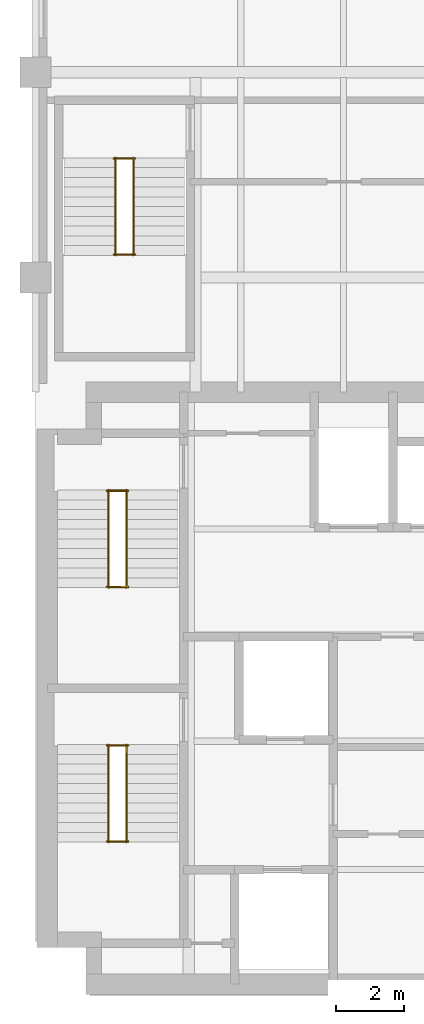
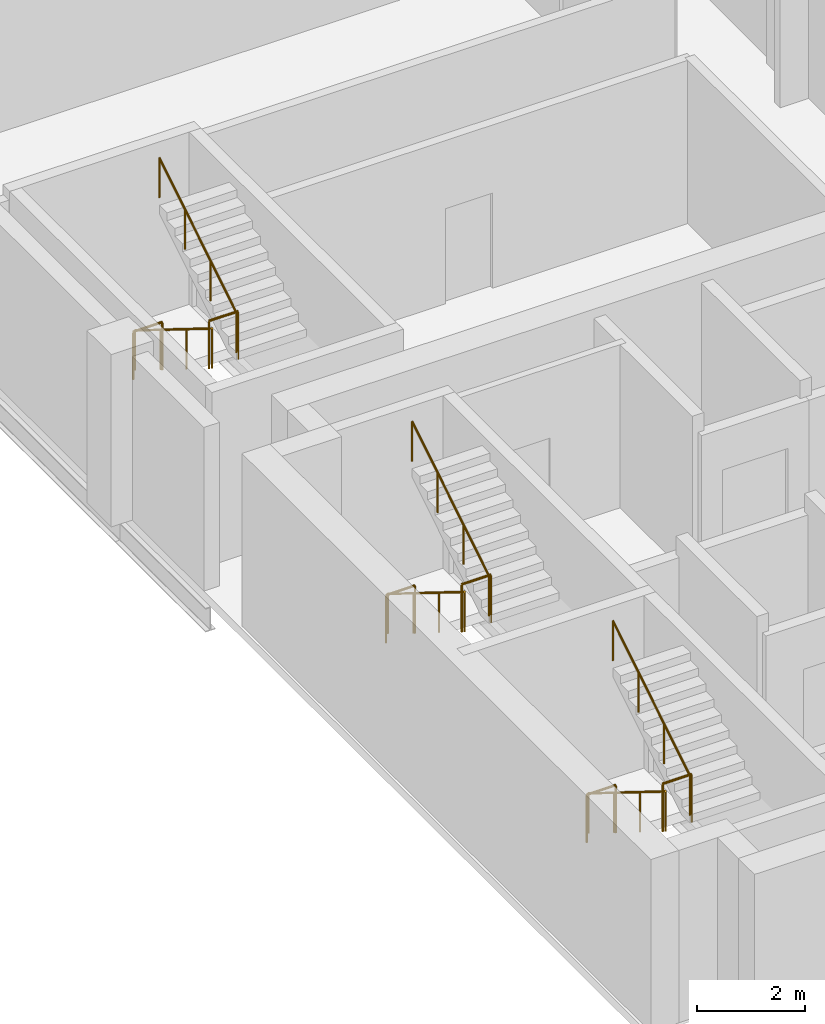
# One storey, part 6 of 6: 12 railings.
"""IFC4 building model written with IfcOpenShell, lengths in metres."""

from ifc_helpers import new_model, si_unit, direction, frame, origin, origin_2d, place, context, subcontext, project, spatial, circle, extrude, material, type_object, element, save


model = new_model("IFC4")

# Units and contexts
model_context = context("Model", 3, precision=1e-05, world=origin(), true_north=direction((0.0, 1.0)))
body_context = subcontext(model_context, "Body", "Model", "MODEL_VIEW")
ifc_project = project(units=[si_unit("LENGTHUNIT", "METRE"), si_unit("AREAUNIT", "SQUARE_METRE"), si_unit("VOLUMEUNIT", "CUBIC_METRE"), si_unit("PLANEANGLEUNIT", "RADIAN"), si_unit("MASSUNIT", "GRAM", prefix="KILO")], contexts=[model_context])

# Site, building, storey
site_placement = place(None, origin())
site = spatial("IfcSite", under=ifc_project, at=site_placement, CompositionType="ELEMENT")
building_placement = place(site_placement, origin())
building = spatial("IfcBuilding", under=site, at=building_placement, Name="Mawjdan Bourse Tower", CompositionType="ELEMENT")
storey_placement = place(building_placement, frame((0.0, 0.0, 176.10009765625)))
storey = spatial("IfcBuildingStorey", under=building, at=storey_placement, Name="L42", CompositionType="ELEMENT", Elevation=176.10009765625)

# Railings
ifc_material_1 = material(Name="Structural Steel S355", Category="steel")
railing_type_1 = type_object("IfcRailingType", Name="RLG-GRD-1100", PredefinedType="GUARDRAIL", material=ifc_material_1)
for number, where, name in (
    (1, (8.090087890625, 7.52001953125, 1.949951171875), "L42 ST1 Landing Guardrail GL-MID"),
    (2, (8.090087890625, 10.330078125, 0.0), "L42 ST1 Landing Guardrail GL-BOT"),
    (3, (8.090087890625, 14.9599609375, 1.949951171875), "L42 ST2 Landing Guardrail GL-MID"),
    (4, (8.090087890625, 17.77001953125, 0.0), "L42 ST2 Landing Guardrail GL-BOT"),
    (5, (8.2900390625, 24.669921875, 1.949951171875), "L42 ST3 Landing Guardrail GL-MID"),
    (6, (8.2900390625, 27.47998046875, 0.0), "L42 ST3 Landing Guardrail GL-BOT"),
):
    element("IfcRailing", number, at=place(storey_placement, frame(where)), inside=storey, type_object=railing_type_1, Name=name, PredefinedType="GUARDRAIL", context=body_context, shape_type="SweptSolid", body=[
        extrude(circle(Radius=0.02490234375, at=origin_2d()), frame((0.0, 0.0, 1.0751953125), z_axis=(1.0, 0.0, 0.0), x_axis=(0.0, 1.0, 0.0)), (0.0, 0.0, 1.0), 0.619873046875),
        extrude(circle(Radius=0.02099609375, at=origin_2d()), origin(), (0.0, 0.0, 1.0), 1.050048828125),
        extrude(circle(Radius=0.02099609375, at=origin_2d()), frame((0.619873046875, 0.0, 0.0)), (0.0, 0.0, 1.0), 1.050048828125),
    ])
ifc_material_2 = material(Name="Brushed Stainless Steel", Category="steel")
railing_type_2 = type_object("IfcRailingType", Name="RLG-HND-920", PredefinedType="HANDRAIL", material=ifc_material_2)
railing_1_placement = place(storey_placement, frame((8.139892578125, 10.35009765625, 0.17724609375)))
element("IfcRailing", 7, at=railing_1_placement, inside=storey, type_object=railing_type_2, Name="L42 ST1 Flight Handrail HR1", PredefinedType="HANDRAIL", context=body_context, shape_type="SweptSolid", body=[
    extrude(circle(Radius=0.0224609375, at=origin_2d()), frame((0.0, 0.0, 0.8974609375), z_axis=(0.0, -0.849148672731, 0.528153890072), x_axis=(1.0, 0.0, 0.0)), (0.0, 0.0, 1.0), 3.3564453125),
    extrude(circle(Radius=0.01904296875, at=origin_2d()), origin(), (0.0, 0.0, 1.0), 0.875),
    extrude(circle(Radius=0.01904296875, at=origin_2d()), frame((0.0, -0.949951171875, 0.5908203125)), (0.0, 0.0, 1.0), 0.875),
    extrude(circle(Radius=0.01904296875, at=origin_2d()), frame((0.0, -1.900146484375, 1.181884765625)), (0.0, 0.0, 1.0), 0.875),
    extrude(circle(Radius=0.01904296875, at=origin_2d()), frame((0.0, -2.85009765625, 1.772705078125)), (0.0, 0.0, 1.0), 0.875),
])
railing_2_placement = place(storey_placement, frame((8.659912109375, 7.5, 2.127197265625)))
element("IfcRailing", 8, at=railing_2_placement, inside=storey, type_object=railing_type_2, Name="L42 ST1 Flight Handrail HR2", PredefinedType="HANDRAIL", context=body_context, shape_type="SweptSolid", body=[
    extrude(circle(Radius=0.0224609375, at=origin_2d()), frame((0.0, 0.0, 0.8974609375), z_axis=(0.0, 0.849148672731, 0.528153890072), x_axis=(-1.0, 0.0, 0.0)), (0.0, 0.0, 1.0), 3.3564453125),
    extrude(circle(Radius=0.01904296875, at=origin_2d()), origin(), (0.0, 0.0, 1.0), 0.875),
    extrude(circle(Radius=0.01904296875, at=origin_2d()), frame((0.0, 0.949951171875, 0.5908203125)), (0.0, 0.0, 1.0), 0.875),
    extrude(circle(Radius=0.01904296875, at=origin_2d()), frame((0.0, 1.900146484375, 1.181884765625)), (0.0, 0.0, 1.0), 0.875),
    extrude(circle(Radius=0.01904296875, at=origin_2d()), frame((0.0, 2.85009765625, 1.772705078125)), (0.0, 0.0, 1.0), 0.875),
])
railing_3_placement = place(storey_placement, frame((8.139892578125, 17.7900390625, 0.17724609375)))
element("IfcRailing", 9, at=railing_3_placement, inside=storey, type_object=railing_type_2, Name="L42 ST2 Flight Handrail HR1", PredefinedType="HANDRAIL", context=body_context, shape_type="SweptSolid", body=[
    extrude(circle(Radius=0.0224609375, at=origin_2d()), frame((0.0, 0.0, 0.8974609375), z_axis=(0.0, -0.849148672731, 0.528153890072), x_axis=(1.0, 0.0, 0.0)), (0.0, 0.0, 1.0), 3.3564453125),
    extrude(circle(Radius=0.01904296875, at=origin_2d()), origin(), (0.0, 0.0, 1.0), 0.875),
    extrude(circle(Radius=0.01904296875, at=origin_2d()), frame((0.0, -0.949951171875, 0.5908203125)), (0.0, 0.0, 1.0), 0.875),
    extrude(circle(Radius=0.01904296875, at=origin_2d()), frame((0.0, -1.900146484375, 1.181884765625)), (0.0, 0.0, 1.0), 0.875),
    extrude(circle(Radius=0.01904296875, at=origin_2d()), frame((0.0, -2.85009765625, 1.772705078125)), (0.0, 0.0, 1.0), 0.875),
])
railing_4_placement = place(storey_placement, frame((8.659912109375, 14.93994140625, 2.127197265625)))
element("IfcRailing", 10, at=railing_4_placement, inside=storey, type_object=railing_type_2, Name="L42 ST2 Flight Handrail HR2", PredefinedType="HANDRAIL", context=body_context, shape_type="SweptSolid", body=[
    extrude(circle(Radius=0.0224609375, at=origin_2d()), frame((0.0, 0.0, 0.8974609375), z_axis=(0.0, 0.849148672731, 0.528153890072), x_axis=(-1.0, 0.0, 0.0)), (0.0, 0.0, 1.0), 3.3564453125),
    extrude(circle(Radius=0.01904296875, at=origin_2d()), origin(), (0.0, 0.0, 1.0), 0.875),
    extrude(circle(Radius=0.01904296875, at=origin_2d()), frame((0.0, 0.949951171875, 0.5908203125)), (0.0, 0.0, 1.0), 0.875),
    extrude(circle(Radius=0.01904296875, at=origin_2d()), frame((0.0, 1.900146484375, 1.181884765625)), (0.0, 0.0, 1.0), 0.875),
    extrude(circle(Radius=0.01904296875, at=origin_2d()), frame((0.0, 2.85009765625, 1.772705078125)), (0.0, 0.0, 1.0), 0.875),
])
railing_5_placement = place(storey_placement, frame((8.340087890625, 27.5, 0.17724609375)))
element("IfcRailing", 11, at=railing_5_placement, inside=storey, type_object=railing_type_2, Name="L42 ST3 Flight Handrail HR1", PredefinedType="HANDRAIL", context=body_context, shape_type="SweptSolid", body=[
    extrude(circle(Radius=0.0224609375, at=origin_2d()), frame((0.0, 0.0, 0.8974609375), z_axis=(0.0, -0.849148672731, 0.528153890072), x_axis=(1.0, 0.0, 0.0)), (0.0, 0.0, 1.0), 3.3564453125),
    extrude(circle(Radius=0.01904296875, at=origin_2d()), origin(), (0.0, 0.0, 1.0), 0.875),
    extrude(circle(Radius=0.01904296875, at=origin_2d()), frame((0.0, -0.949951171875, 0.5908203125)), (0.0, 0.0, 1.0), 0.875),
    extrude(circle(Radius=0.01904296875, at=origin_2d()), frame((0.0, -1.900146484375, 1.181884765625)), (0.0, 0.0, 1.0), 0.875),
    extrude(circle(Radius=0.01904296875, at=origin_2d()), frame((0.0, -2.85009765625, 1.772705078125)), (0.0, 0.0, 1.0), 0.875),
])
railing_6_placement = place(storey_placement, frame((8.860107421875, 24.64990234375, 2.127197265625)))
element("IfcRailing", 12, at=railing_6_placement, inside=storey, type_object=railing_type_2, Name="L42 ST3 Flight Handrail HR2", PredefinedType="HANDRAIL", context=body_context, shape_type="SweptSolid", body=[
    extrude(circle(Radius=0.0224609375, at=origin_2d()), frame((0.0, 0.0, 0.8974609375), z_axis=(0.0, 0.849148672731, 0.528153890072), x_axis=(-1.0, 0.0, 0.0)), (0.0, 0.0, 1.0), 3.3564453125),
    extrude(circle(Radius=0.01904296875, at=origin_2d()), origin(), (0.0, 0.0, 1.0), 0.875),
    extrude(circle(Radius=0.01904296875, at=origin_2d()), frame((0.0, 0.949951171875, 0.5908203125)), (0.0, 0.0, 1.0), 0.875),
    extrude(circle(Radius=0.01904296875, at=origin_2d()), frame((0.0, 1.900146484375, 1.181884765625)), (0.0, 0.0, 1.0), 0.875),
    extrude(circle(Radius=0.01904296875, at=origin_2d()), frame((0.0, 2.85009765625, 1.772705078125)), (0.0, 0.0, 1.0), 0.875),
])

save(model, "model.ifc")
